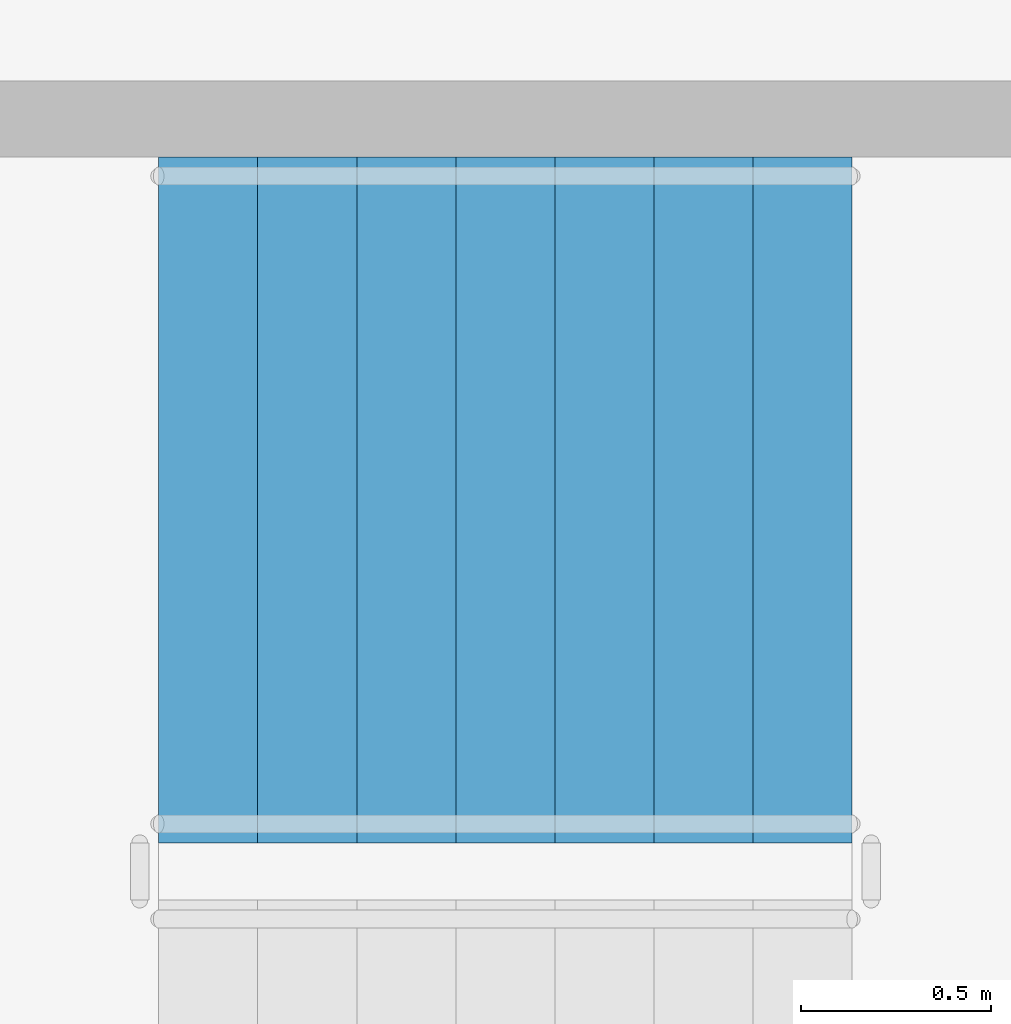
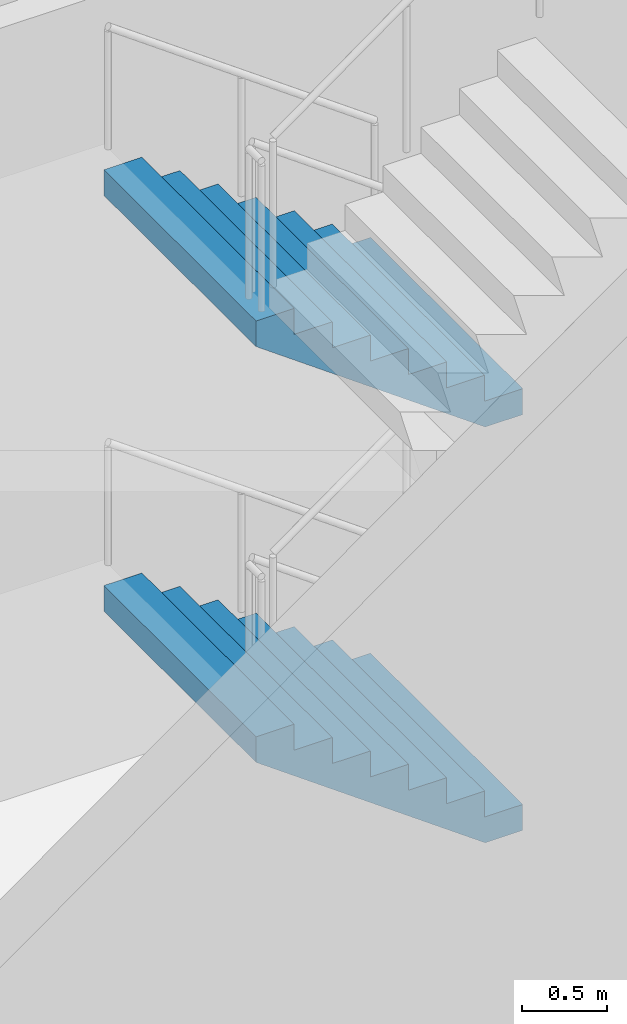
# One storey, part 55 of 75: 2 stair flights, 1 element without a shape of its own.
"""IFC4 building model written with IfcOpenShell, lengths in metres."""

from ifc_helpers import new_model, si_unit, direction, frame, origin, place, context, subcontext, project, spatial, faceted_brep, material, type_object, element, aggregate, save


model = new_model("IFC4")

# Units and contexts
model_context = context("Model", 3, precision=1e-05, world=origin(), true_north=direction((0.0, 1.0)))
body_context = subcontext(model_context, "Body", "Model", "MODEL_VIEW")
ifc_project = project(units=[si_unit("LENGTHUNIT", "METRE"), si_unit("AREAUNIT", "SQUARE_METRE"), si_unit("VOLUMEUNIT", "CUBIC_METRE"), si_unit("PLANEANGLEUNIT", "RADIAN"), si_unit("MASSUNIT", "GRAM", prefix="KILO")], contexts=[model_context])

# Site, building, storey
site_placement = place(None, origin())
site = spatial("IfcSite", under=ifc_project, at=site_placement, CompositionType="ELEMENT")
building_placement = place(site_placement, origin())
building = spatial("IfcBuilding", under=site, at=building_placement, Name="Ipe Terrace Towers", CompositionType="ELEMENT")
storey_placement = place(building_placement, origin())
storey = spatial("IfcBuildingStorey", under=building, at=storey_placement, Name="L00", CompositionType="ELEMENT", Elevation=0.0)

# Stair, stair flights
ifc_material_1 = material(Name="Concrete C30/37", Category="concrete")
stair_type = type_object("IfcStairType", Name="Protected exit stair", PredefinedType="HALF_TURN_STAIR", material=ifc_material_1)
stair_placement = place(storey_placement, origin())
stair = element("IfcStair", 1, at=stair_placement, inside=storey, type_object=stair_type, Name="L00 Podium exit stair PS1", PredefinedType="HALF_TURN_STAIR")
ifc_material_2 = material(Name="Concrete C30/37", Category="concrete")
stair_flight_type = type_object("IfcStairFlightType", Name="Exit stair flight 1800", PredefinedType="STRAIGHT", material=ifc_material_2)
stair_flight_1_placement = place(storey_placement, frame((-54.27001953125, 25.5, 0.0), z_axis=(0.0, 0.0, 1.0), x_axis=(-1.0, 0.0, 0.0)))
stair_flight_1 = element("IfcStairFlight", 2, at=stair_flight_1_placement, type_object=stair_flight_type, Name="PS1 flight 1", NumberOfRisers=8, NumberOfTreads=7, PredefinedType="STRAIGHT", RiserHeight=0.1875, TreadLength=0.26, context=body_context, shape_type="Brep", body=[
    faceted_brep([(0.25634765625, -0.89990234375, 0.0), (1.820068359375, -0.89990234375, 1.127685546875), (1.820068359375, -0.89990234375, 1.3125), (1.56005859375, -0.89990234375, 1.3125), (1.56005859375, -0.89990234375, 1.125), (1.300048828125, -0.89990234375, 1.125), (1.300048828125, -0.89990234375, 0.9375), (1.0400390625, -0.89990234375, 0.9375), (1.0400390625, -0.89990234375, 0.75), (0.780029296875, -0.89990234375, 0.75), (0.780029296875, -0.89990234375, 0.5625), (0.52001953125, -0.89990234375, 0.5625), (0.52001953125, -0.89990234375, 0.375), (0.260009765625, -0.89990234375, 0.375), (0.260009765625, -0.89990234375, 0.1875), (0.0, -0.89990234375, 0.1875), (0.0, -0.89990234375, 0.0), (0.0, 0.89990234375, 0.0), (0.0, 0.89990234375, 0.1875), (0.260009765625, 0.89990234375, 0.1875), (0.260009765625, 0.89990234375, 0.375), (0.52001953125, 0.89990234375, 0.375), (0.52001953125, 0.89990234375, 0.5625), (0.780029296875, 0.89990234375, 0.5625), (0.780029296875, 0.89990234375, 0.75), (1.0400390625, 0.89990234375, 0.75), (1.0400390625, 0.89990234375, 0.9375), (1.300048828125, 0.89990234375, 0.9375), (1.300048828125, 0.89990234375, 1.125), (1.56005859375, 0.89990234375, 1.125), (1.56005859375, 0.89990234375, 1.3125), (1.820068359375, 0.89990234375, 1.3125), (1.820068359375, 0.89990234375, 1.127685546875), (0.25634765625, 0.89990234375, 0.0), (0.0, -0.300048828125, 0.1875), (0.0, -0.1201171875, 0.1875), (0.0, -0.06005859375, 0.1875), (0.0, -0.030029296875, 0.1875), (0.0, -0.010009765625, 0.1875), (0.0, 0.0, 0.1875), (0.0, 0.010009765625, 0.1875), (0.0, 0.030029296875, 0.1875), (0.0, 0.06005859375, 0.1875), (0.0, 0.1201171875, 0.1875), (0.0, 0.300048828125, 0.1875), (0.0, 0.300048828125, 0.0), (0.0, 0.1201171875, 0.0), (0.0, 0.06005859375, 0.0), (0.0, 0.030029296875, 0.0), (0.0, 0.010009765625, 0.0), (0.0, 0.0, 0.0), (0.0, -0.010009765625, 0.0), (0.0, -0.030029296875, 0.0), (0.0, -0.06005859375, 0.0), (0.0, -0.1201171875, 0.0), (0.0, -0.300048828125, 0.0), (0.260009765625, -0.300048828125, 0.1875), (0.260009765625, -0.1201171875, 0.1875), (0.260009765625, -0.06005859375, 0.1875), (0.260009765625, -0.030029296875, 0.1875), (0.260009765625, -0.010009765625, 0.1875), (0.260009765625, 0.0, 0.1875), (0.260009765625, 0.010009765625, 0.1875), (0.260009765625, 0.030029296875, 0.1875), (0.260009765625, 0.06005859375, 0.1875), (0.260009765625, 0.1201171875, 0.1875), (0.260009765625, 0.300048828125, 0.1875), (0.260009765625, -0.300048828125, 0.375), (0.260009765625, -0.1201171875, 0.375), (0.260009765625, -0.06005859375, 0.375), (0.260009765625, -0.030029296875, 0.375), (0.260009765625, -0.010009765625, 0.375), (0.260009765625, 0.0, 0.375), (0.260009765625, 0.010009765625, 0.375), (0.260009765625, 0.030029296875, 0.375), (0.260009765625, 0.06005859375, 0.375), (0.260009765625, 0.1201171875, 0.375), (0.260009765625, 0.300048828125, 0.375), (0.52001953125, -0.300048828125, 0.375), (0.52001953125, -0.1201171875, 0.375), (0.52001953125, -0.06005859375, 0.375), (0.52001953125, -0.030029296875, 0.375), (0.52001953125, -0.010009765625, 0.375), (0.52001953125, 0.0, 0.375), (0.52001953125, 0.010009765625, 0.375), (0.52001953125, 0.030029296875, 0.375), (0.52001953125, 0.06005859375, 0.375), (0.52001953125, 0.1201171875, 0.375), (0.52001953125, 0.300048828125, 0.375), (0.52001953125, -0.300048828125, 0.5625), (0.52001953125, -0.1201171875, 0.5625), (0.52001953125, -0.06005859375, 0.5625), (0.52001953125, -0.030029296875, 0.5625), (0.52001953125, -0.010009765625, 0.5625), (0.52001953125, 0.0, 0.5625), (0.52001953125, 0.010009765625, 0.5625), (0.52001953125, 0.030029296875, 0.5625), (0.52001953125, 0.06005859375, 0.5625), (0.52001953125, 0.1201171875, 0.5625), (0.52001953125, 0.300048828125, 0.5625), (0.780029296875, -0.300048828125, 0.5625), (0.780029296875, -0.1201171875, 0.5625), (0.780029296875, -0.06005859375, 0.5625), (0.780029296875, -0.030029296875, 0.5625), (0.780029296875, -0.010009765625, 0.5625), (0.780029296875, 0.0, 0.5625), (0.780029296875, 0.010009765625, 0.5625), (0.780029296875, 0.030029296875, 0.5625), (0.780029296875, 0.06005859375, 0.5625), (0.780029296875, 0.1201171875, 0.5625), (0.780029296875, 0.300048828125, 0.5625), (0.780029296875, -0.300048828125, 0.75), (0.780029296875, -0.1201171875, 0.75), (0.780029296875, -0.06005859375, 0.75), (0.780029296875, -0.030029296875, 0.75), (0.780029296875, -0.010009765625, 0.75), (0.780029296875, 0.0, 0.75), (0.780029296875, 0.010009765625, 0.75), (0.780029296875, 0.030029296875, 0.75), (0.780029296875, 0.06005859375, 0.75), (0.780029296875, 0.1201171875, 0.75), (0.780029296875, 0.300048828125, 0.75), (1.0400390625, -0.300048828125, 0.75), (1.0400390625, -0.1201171875, 0.75), (1.0400390625, -0.06005859375, 0.75), (1.0400390625, -0.030029296875, 0.75), (1.0400390625, -0.010009765625, 0.75), (1.0400390625, 0.0, 0.75), (1.0400390625, 0.010009765625, 0.75), (1.0400390625, 0.030029296875, 0.75), (1.0400390625, 0.06005859375, 0.75), (1.0400390625, 0.1201171875, 0.75), (1.0400390625, 0.300048828125, 0.75), (1.0400390625, -0.300048828125, 0.9375), (1.0400390625, -0.1201171875, 0.9375), (1.0400390625, -0.06005859375, 0.9375), (1.0400390625, -0.030029296875, 0.9375), (1.0400390625, -0.010009765625, 0.9375), (1.0400390625, 0.0, 0.9375), (1.0400390625, 0.010009765625, 0.9375), (1.0400390625, 0.030029296875, 0.9375), (1.0400390625, 0.06005859375, 0.9375), (1.0400390625, 0.1201171875, 0.9375), (1.0400390625, 0.300048828125, 0.9375), (1.300048828125, -0.300048828125, 0.9375), (1.300048828125, -0.1201171875, 0.9375), (1.300048828125, -0.06005859375, 0.9375), (1.300048828125, -0.030029296875, 0.9375), (1.300048828125, -0.010009765625, 0.9375), (1.300048828125, 0.0, 0.9375), (1.300048828125, 0.010009765625, 0.9375), (1.300048828125, 0.030029296875, 0.9375), (1.300048828125, 0.06005859375, 0.9375), (1.300048828125, 0.1201171875, 0.9375), (1.300048828125, 0.300048828125, 0.9375), (1.300048828125, -0.300048828125, 1.125), (1.300048828125, -0.1201171875, 1.125), (1.300048828125, -0.06005859375, 1.125), (1.300048828125, -0.030029296875, 1.125), (1.300048828125, -0.010009765625, 1.125), (1.300048828125, 0.0, 1.125), (1.300048828125, 0.010009765625, 1.125), (1.300048828125, 0.030029296875, 1.125), (1.300048828125, 0.06005859375, 1.125), (1.300048828125, 0.1201171875, 1.125), (1.300048828125, 0.300048828125, 1.125), (1.56005859375, -0.300048828125, 1.125), (1.56005859375, -0.1201171875, 1.125), (1.56005859375, -0.06005859375, 1.125), (1.56005859375, -0.030029296875, 1.125), (1.56005859375, -0.010009765625, 1.125), (1.56005859375, 0.0, 1.125), (1.56005859375, 0.010009765625, 1.125), (1.56005859375, 0.030029296875, 1.125), (1.56005859375, 0.06005859375, 1.125), (1.56005859375, 0.1201171875, 1.125), (1.56005859375, 0.300048828125, 1.125), (1.56005859375, -0.300048828125, 1.3125), (1.56005859375, -0.1201171875, 1.3125), (1.56005859375, -0.06005859375, 1.3125), (1.56005859375, -0.030029296875, 1.3125), (1.56005859375, -0.010009765625, 1.3125), (1.56005859375, 0.0, 1.3125), (1.56005859375, 0.010009765625, 1.3125), (1.56005859375, 0.030029296875, 1.3125), (1.56005859375, 0.06005859375, 1.3125), (1.56005859375, 0.1201171875, 1.3125), (1.56005859375, 0.300048828125, 1.3125), (1.820068359375, -0.300048828125, 1.3125), (1.820068359375, -0.1201171875, 1.3125), (1.820068359375, -0.06005859375, 1.3125), (1.820068359375, -0.030029296875, 1.3125), (1.820068359375, -0.010009765625, 1.3125), (1.820068359375, 0.0, 1.3125), (1.820068359375, 0.010009765625, 1.3125), (1.820068359375, 0.030029296875, 1.3125), (1.820068359375, 0.06005859375, 1.3125), (1.820068359375, 0.1201171875, 1.3125), (1.820068359375, 0.300048828125, 1.3125), (1.820068359375, -0.300048828125, 1.127685546875), (1.820068359375, -0.1201171875, 1.127685546875), (1.820068359375, -0.06005859375, 1.127685546875), (1.820068359375, -0.030029296875, 1.127685546875), (1.820068359375, -0.010009765625, 1.127685546875), (1.820068359375, 0.0, 1.127685546875), (1.820068359375, 0.010009765625, 1.127685546875), (1.820068359375, 0.030029296875, 1.127685546875), (1.820068359375, 0.06005859375, 1.127685546875), (1.820068359375, 0.1201171875, 1.127685546875), (1.820068359375, 0.300048828125, 1.127685546875), (0.25634765625, -0.300048828125, 0.0), (0.25634765625, -0.1201171875, 0.0), (0.25634765625, -0.06005859375, 0.0), (0.25634765625, -0.030029296875, 0.0), (0.25634765625, -0.010009765625, 0.0), (0.25634765625, 0.0, 0.0), (0.25634765625, 0.010009765625, 0.0), (0.25634765625, 0.030029296875, 0.0), (0.25634765625, 0.06005859375, 0.0), (0.25634765625, 0.1201171875, 0.0), (0.25634765625, 0.300048828125, 0.0)], [[[0, 1, 2, 3, 4, 5, 6, 7, 8, 9, 10, 11, 12, 13, 14, 15, 16]], [[17, 18, 19, 20, 21, 22, 23, 24, 25, 26, 27, 28, 29, 30, 31, 32, 33]], [[15, 34, 35, 36, 37, 38, 39, 40, 41, 42, 43, 44, 18, 17, 45, 46, 47, 48, 49, 50, 51, 52, 53, 54, 55, 16]], [[14, 56, 57, 58, 59, 60, 61, 62, 63, 64, 65, 66, 19, 18, 44, 43, 42, 41, 40, 39, 38, 37, 36, 35, 34, 15]], [[13, 67, 68, 69, 70, 71, 72, 73, 74, 75, 76, 77, 20, 19, 66, 65, 64, 63, 62, 61, 60, 59, 58, 57, 56, 14]], [[12, 78, 79, 80, 81, 82, 83, 84, 85, 86, 87, 88, 21, 20, 77, 76, 75, 74, 73, 72, 71, 70, 69, 68, 67, 13]], [[11, 89, 90, 91, 92, 93, 94, 95, 96, 97, 98, 99, 22, 21, 88, 87, 86, 85, 84, 83, 82, 81, 80, 79, 78, 12]], [[10, 100, 101, 102, 103, 104, 105, 106, 107, 108, 109, 110, 23, 22, 99, 98, 97, 96, 95, 94, 93, 92, 91, 90, 89, 11]], [[9, 111, 112, 113, 114, 115, 116, 117, 118, 119, 120, 121, 24, 23, 110, 109, 108, 107, 106, 105, 104, 103, 102, 101, 100, 10]], [[8, 122, 123, 124, 125, 126, 127, 128, 129, 130, 131, 132, 25, 24, 121, 120, 119, 118, 117, 116, 115, 114, 113, 112, 111, 9]], [[7, 133, 134, 135, 136, 137, 138, 139, 140, 141, 142, 143, 26, 25, 132, 131, 130, 129, 128, 127, 126, 125, 124, 123, 122, 8]], [[6, 144, 145, 146, 147, 148, 149, 150, 151, 152, 153, 154, 27, 26, 143, 142, 141, 140, 139, 138, 137, 136, 135, 134, 133, 7]], [[5, 155, 156, 157, 158, 159, 160, 161, 162, 163, 164, 165, 28, 27, 154, 153, 152, 151, 150, 149, 148, 147, 146, 145, 144, 6]], [[4, 166, 167, 168, 169, 170, 171, 172, 173, 174, 175, 176, 29, 28, 165, 164, 163, 162, 161, 160, 159, 158, 157, 156, 155, 5]], [[3, 177, 178, 179, 180, 181, 182, 183, 184, 185, 186, 187, 30, 29, 176, 175, 174, 173, 172, 171, 170, 169, 168, 167, 166, 4]], [[2, 188, 189, 190, 191, 192, 193, 194, 195, 196, 197, 198, 31, 30, 187, 186, 185, 184, 183, 182, 181, 180, 179, 178, 177, 3]], [[1, 199, 200, 201, 202, 203, 204, 205, 206, 207, 208, 209, 32, 31, 198, 197, 196, 195, 194, 193, 192, 191, 190, 189, 188, 2]], [[0, 210, 211, 212, 213, 214, 215, 216, 217, 218, 219, 220, 33, 32, 209, 208, 207, 206, 205, 204, 203, 202, 201, 200, 199, 1]], [[16, 55, 54, 53, 52, 51, 50, 49, 48, 47, 46, 45, 17, 33, 220, 219, 218, 217, 216, 215, 214, 213, 212, 211, 210, 0]]]),
])
stair_flight_2_placement = place(storey_placement, frame((-54.27001953125, 25.5, 3.0), z_axis=(0.0, 0.0, 1.0), x_axis=(-1.0, 0.0, 0.0)))
stair_flight_2 = element("IfcStairFlight", 3, at=stair_flight_2_placement, type_object=stair_flight_type, Name="PS1 flight 3", NumberOfRisers=8, NumberOfTreads=7, PredefinedType="STRAIGHT", RiserHeight=0.1875, TreadLength=0.26, context=body_context, shape_type="Brep", body=[
    faceted_brep([(0.25634765625, -0.89990234375, 0.0), (1.820068359375, -0.89990234375, 1.127685546875), (1.820068359375, -0.89990234375, 1.3125), (1.56005859375, -0.89990234375, 1.3125), (1.56005859375, -0.89990234375, 1.125), (1.300048828125, -0.89990234375, 1.125), (1.300048828125, -0.89990234375, 0.9375), (1.0400390625, -0.89990234375, 0.9375), (1.0400390625, -0.89990234375, 0.75), (0.780029296875, -0.89990234375, 0.75), (0.780029296875, -0.89990234375, 0.5625), (0.52001953125, -0.89990234375, 0.5625), (0.52001953125, -0.89990234375, 0.375), (0.260009765625, -0.89990234375, 0.375), (0.260009765625, -0.89990234375, 0.1875), (0.0, -0.89990234375, 0.1875), (0.0, -0.89990234375, 0.0), (0.0, 0.89990234375, 0.0), (0.0, 0.89990234375, 0.1875), (0.260009765625, 0.89990234375, 0.1875), (0.260009765625, 0.89990234375, 0.375), (0.52001953125, 0.89990234375, 0.375), (0.52001953125, 0.89990234375, 0.5625), (0.780029296875, 0.89990234375, 0.5625), (0.780029296875, 0.89990234375, 0.75), (1.0400390625, 0.89990234375, 0.75), (1.0400390625, 0.89990234375, 0.9375), (1.300048828125, 0.89990234375, 0.9375), (1.300048828125, 0.89990234375, 1.125), (1.56005859375, 0.89990234375, 1.125), (1.56005859375, 0.89990234375, 1.3125), (1.820068359375, 0.89990234375, 1.3125), (1.820068359375, 0.89990234375, 1.127685546875), (0.25634765625, 0.89990234375, 0.0), (0.0, -0.300048828125, 0.1875), (0.0, -0.1201171875, 0.1875), (0.0, -0.06005859375, 0.1875), (0.0, -0.030029296875, 0.1875), (0.0, -0.010009765625, 0.1875), (0.0, 0.0, 0.1875), (0.0, 0.010009765625, 0.1875), (0.0, 0.030029296875, 0.1875), (0.0, 0.06005859375, 0.1875), (0.0, 0.1201171875, 0.1875), (0.0, 0.300048828125, 0.1875), (0.0, 0.300048828125, 0.0), (0.0, 0.1201171875, 0.0), (0.0, 0.06005859375, 0.0), (0.0, 0.030029296875, 0.0), (0.0, 0.010009765625, 0.0), (0.0, 0.0, 0.0), (0.0, -0.010009765625, 0.0), (0.0, -0.030029296875, 0.0), (0.0, -0.06005859375, 0.0), (0.0, -0.1201171875, 0.0), (0.0, -0.300048828125, 0.0), (0.260009765625, -0.300048828125, 0.1875), (0.260009765625, -0.1201171875, 0.1875), (0.260009765625, -0.06005859375, 0.1875), (0.260009765625, -0.030029296875, 0.1875), (0.260009765625, -0.010009765625, 0.1875), (0.260009765625, 0.0, 0.1875), (0.260009765625, 0.010009765625, 0.1875), (0.260009765625, 0.030029296875, 0.1875), (0.260009765625, 0.06005859375, 0.1875), (0.260009765625, 0.1201171875, 0.1875), (0.260009765625, 0.300048828125, 0.1875), (0.260009765625, -0.300048828125, 0.375), (0.260009765625, -0.1201171875, 0.375), (0.260009765625, -0.06005859375, 0.375), (0.260009765625, -0.030029296875, 0.375), (0.260009765625, -0.010009765625, 0.375), (0.260009765625, 0.0, 0.375), (0.260009765625, 0.010009765625, 0.375), (0.260009765625, 0.030029296875, 0.375), (0.260009765625, 0.06005859375, 0.375), (0.260009765625, 0.1201171875, 0.375), (0.260009765625, 0.300048828125, 0.375), (0.52001953125, -0.300048828125, 0.375), (0.52001953125, -0.1201171875, 0.375), (0.52001953125, -0.06005859375, 0.375), (0.52001953125, -0.030029296875, 0.375), (0.52001953125, -0.010009765625, 0.375), (0.52001953125, 0.0, 0.375), (0.52001953125, 0.010009765625, 0.375), (0.52001953125, 0.030029296875, 0.375), (0.52001953125, 0.06005859375, 0.375), (0.52001953125, 0.1201171875, 0.375), (0.52001953125, 0.300048828125, 0.375), (0.52001953125, -0.300048828125, 0.5625), (0.52001953125, -0.1201171875, 0.5625), (0.52001953125, -0.06005859375, 0.5625), (0.52001953125, -0.030029296875, 0.5625), (0.52001953125, -0.010009765625, 0.5625), (0.52001953125, 0.0, 0.5625), (0.52001953125, 0.010009765625, 0.5625), (0.52001953125, 0.030029296875, 0.5625), (0.52001953125, 0.06005859375, 0.5625), (0.52001953125, 0.1201171875, 0.5625), (0.52001953125, 0.300048828125, 0.5625), (0.780029296875, -0.300048828125, 0.5625), (0.780029296875, -0.1201171875, 0.5625), (0.780029296875, -0.06005859375, 0.5625), (0.780029296875, -0.030029296875, 0.5625), (0.780029296875, -0.010009765625, 0.5625), (0.780029296875, 0.0, 0.5625), (0.780029296875, 0.010009765625, 0.5625), (0.780029296875, 0.030029296875, 0.5625), (0.780029296875, 0.06005859375, 0.5625), (0.780029296875, 0.1201171875, 0.5625), (0.780029296875, 0.300048828125, 0.5625), (0.780029296875, -0.300048828125, 0.75), (0.780029296875, -0.1201171875, 0.75), (0.780029296875, -0.06005859375, 0.75), (0.780029296875, -0.030029296875, 0.75), (0.780029296875, -0.010009765625, 0.75), (0.780029296875, 0.0, 0.75), (0.780029296875, 0.010009765625, 0.75), (0.780029296875, 0.030029296875, 0.75), (0.780029296875, 0.06005859375, 0.75), (0.780029296875, 0.1201171875, 0.75), (0.780029296875, 0.300048828125, 0.75), (1.0400390625, -0.300048828125, 0.75), (1.0400390625, -0.1201171875, 0.75), (1.0400390625, -0.06005859375, 0.75), (1.0400390625, -0.030029296875, 0.75), (1.0400390625, -0.010009765625, 0.75), (1.0400390625, 0.0, 0.75), (1.0400390625, 0.010009765625, 0.75), (1.0400390625, 0.030029296875, 0.75), (1.0400390625, 0.06005859375, 0.75), (1.0400390625, 0.1201171875, 0.75), (1.0400390625, 0.300048828125, 0.75), (1.0400390625, -0.300048828125, 0.9375), (1.0400390625, -0.1201171875, 0.9375), (1.0400390625, -0.06005859375, 0.9375), (1.0400390625, -0.030029296875, 0.9375), (1.0400390625, -0.010009765625, 0.9375), (1.0400390625, 0.0, 0.9375), (1.0400390625, 0.010009765625, 0.9375), (1.0400390625, 0.030029296875, 0.9375), (1.0400390625, 0.06005859375, 0.9375), (1.0400390625, 0.1201171875, 0.9375), (1.0400390625, 0.300048828125, 0.9375), (1.300048828125, -0.300048828125, 0.9375), (1.300048828125, -0.1201171875, 0.9375), (1.300048828125, -0.06005859375, 0.9375), (1.300048828125, -0.030029296875, 0.9375), (1.300048828125, -0.010009765625, 0.9375), (1.300048828125, 0.0, 0.9375), (1.300048828125, 0.010009765625, 0.9375), (1.300048828125, 0.030029296875, 0.9375), (1.300048828125, 0.06005859375, 0.9375), (1.300048828125, 0.1201171875, 0.9375), (1.300048828125, 0.300048828125, 0.9375), (1.300048828125, -0.300048828125, 1.125), (1.300048828125, -0.1201171875, 1.125), (1.300048828125, -0.06005859375, 1.125), (1.300048828125, -0.030029296875, 1.125), (1.300048828125, -0.010009765625, 1.125), (1.300048828125, 0.0, 1.125), (1.300048828125, 0.010009765625, 1.125), (1.300048828125, 0.030029296875, 1.125), (1.300048828125, 0.06005859375, 1.125), (1.300048828125, 0.1201171875, 1.125), (1.300048828125, 0.300048828125, 1.125), (1.56005859375, -0.300048828125, 1.125), (1.56005859375, -0.1201171875, 1.125), (1.56005859375, -0.06005859375, 1.125), (1.56005859375, -0.030029296875, 1.125), (1.56005859375, -0.010009765625, 1.125), (1.56005859375, 0.0, 1.125), (1.56005859375, 0.010009765625, 1.125), (1.56005859375, 0.030029296875, 1.125), (1.56005859375, 0.06005859375, 1.125), (1.56005859375, 0.1201171875, 1.125), (1.56005859375, 0.300048828125, 1.125), (1.56005859375, -0.300048828125, 1.3125), (1.56005859375, -0.1201171875, 1.3125), (1.56005859375, -0.06005859375, 1.3125), (1.56005859375, -0.030029296875, 1.3125), (1.56005859375, -0.010009765625, 1.3125), (1.56005859375, 0.0, 1.3125), (1.56005859375, 0.010009765625, 1.3125), (1.56005859375, 0.030029296875, 1.3125), (1.56005859375, 0.06005859375, 1.3125), (1.56005859375, 0.1201171875, 1.3125), (1.56005859375, 0.300048828125, 1.3125), (1.820068359375, -0.300048828125, 1.3125), (1.820068359375, -0.1201171875, 1.3125), (1.820068359375, -0.06005859375, 1.3125), (1.820068359375, -0.030029296875, 1.3125), (1.820068359375, -0.010009765625, 1.3125), (1.820068359375, 0.0, 1.3125), (1.820068359375, 0.010009765625, 1.3125), (1.820068359375, 0.030029296875, 1.3125), (1.820068359375, 0.06005859375, 1.3125), (1.820068359375, 0.1201171875, 1.3125), (1.820068359375, 0.300048828125, 1.3125), (1.820068359375, -0.300048828125, 1.127685546875), (1.820068359375, -0.1201171875, 1.127685546875), (1.820068359375, -0.06005859375, 1.127685546875), (1.820068359375, -0.030029296875, 1.127685546875), (1.820068359375, -0.010009765625, 1.127685546875), (1.820068359375, 0.0, 1.127685546875), (1.820068359375, 0.010009765625, 1.127685546875), (1.820068359375, 0.030029296875, 1.127685546875), (1.820068359375, 0.06005859375, 1.127685546875), (1.820068359375, 0.1201171875, 1.127685546875), (1.820068359375, 0.300048828125, 1.127685546875), (0.25634765625, -0.300048828125, 0.0), (0.25634765625, -0.1201171875, 0.0), (0.25634765625, -0.06005859375, 0.0), (0.25634765625, -0.030029296875, 0.0), (0.25634765625, -0.010009765625, 0.0), (0.25634765625, 0.0, 0.0), (0.25634765625, 0.010009765625, 0.0), (0.25634765625, 0.030029296875, 0.0), (0.25634765625, 0.06005859375, 0.0), (0.25634765625, 0.1201171875, 0.0), (0.25634765625, 0.300048828125, 0.0)], [[[0, 1, 2, 3, 4, 5, 6, 7, 8, 9, 10, 11, 12, 13, 14, 15, 16]], [[17, 18, 19, 20, 21, 22, 23, 24, 25, 26, 27, 28, 29, 30, 31, 32, 33]], [[15, 34, 35, 36, 37, 38, 39, 40, 41, 42, 43, 44, 18, 17, 45, 46, 47, 48, 49, 50, 51, 52, 53, 54, 55, 16]], [[14, 56, 57, 58, 59, 60, 61, 62, 63, 64, 65, 66, 19, 18, 44, 43, 42, 41, 40, 39, 38, 37, 36, 35, 34, 15]], [[13, 67, 68, 69, 70, 71, 72, 73, 74, 75, 76, 77, 20, 19, 66, 65, 64, 63, 62, 61, 60, 59, 58, 57, 56, 14]], [[12, 78, 79, 80, 81, 82, 83, 84, 85, 86, 87, 88, 21, 20, 77, 76, 75, 74, 73, 72, 71, 70, 69, 68, 67, 13]], [[11, 89, 90, 91, 92, 93, 94, 95, 96, 97, 98, 99, 22, 21, 88, 87, 86, 85, 84, 83, 82, 81, 80, 79, 78, 12]], [[10, 100, 101, 102, 103, 104, 105, 106, 107, 108, 109, 110, 23, 22, 99, 98, 97, 96, 95, 94, 93, 92, 91, 90, 89, 11]], [[9, 111, 112, 113, 114, 115, 116, 117, 118, 119, 120, 121, 24, 23, 110, 109, 108, 107, 106, 105, 104, 103, 102, 101, 100, 10]], [[8, 122, 123, 124, 125, 126, 127, 128, 129, 130, 131, 132, 25, 24, 121, 120, 119, 118, 117, 116, 115, 114, 113, 112, 111, 9]], [[7, 133, 134, 135, 136, 137, 138, 139, 140, 141, 142, 143, 26, 25, 132, 131, 130, 129, 128, 127, 126, 125, 124, 123, 122, 8]], [[6, 144, 145, 146, 147, 148, 149, 150, 151, 152, 153, 154, 27, 26, 143, 142, 141, 140, 139, 138, 137, 136, 135, 134, 133, 7]], [[5, 155, 156, 157, 158, 159, 160, 161, 162, 163, 164, 165, 28, 27, 154, 153, 152, 151, 150, 149, 148, 147, 146, 145, 144, 6]], [[4, 166, 167, 168, 169, 170, 171, 172, 173, 174, 175, 176, 29, 28, 165, 164, 163, 162, 161, 160, 159, 158, 157, 156, 155, 5]], [[3, 177, 178, 179, 180, 181, 182, 183, 184, 185, 186, 187, 30, 29, 176, 175, 174, 173, 172, 171, 170, 169, 168, 167, 166, 4]], [[2, 188, 189, 190, 191, 192, 193, 194, 195, 196, 197, 198, 31, 30, 187, 186, 185, 184, 183, 182, 181, 180, 179, 178, 177, 3]], [[1, 199, 200, 201, 202, 203, 204, 205, 206, 207, 208, 209, 32, 31, 198, 197, 196, 195, 194, 193, 192, 191, 190, 189, 188, 2]], [[0, 210, 211, 212, 213, 214, 215, 216, 217, 218, 219, 220, 33, 32, 209, 208, 207, 206, 205, 204, 203, 202, 201, 200, 199, 1]], [[16, 55, 54, 53, 52, 51, 50, 49, 48, 47, 46, 45, 17, 33, 220, 219, 218, 217, 216, 215, 214, 213, 212, 211, 210, 0]]]),
])
aggregate(stair, [stair_flight_1, stair_flight_2])

save(model, "model.ifc")
